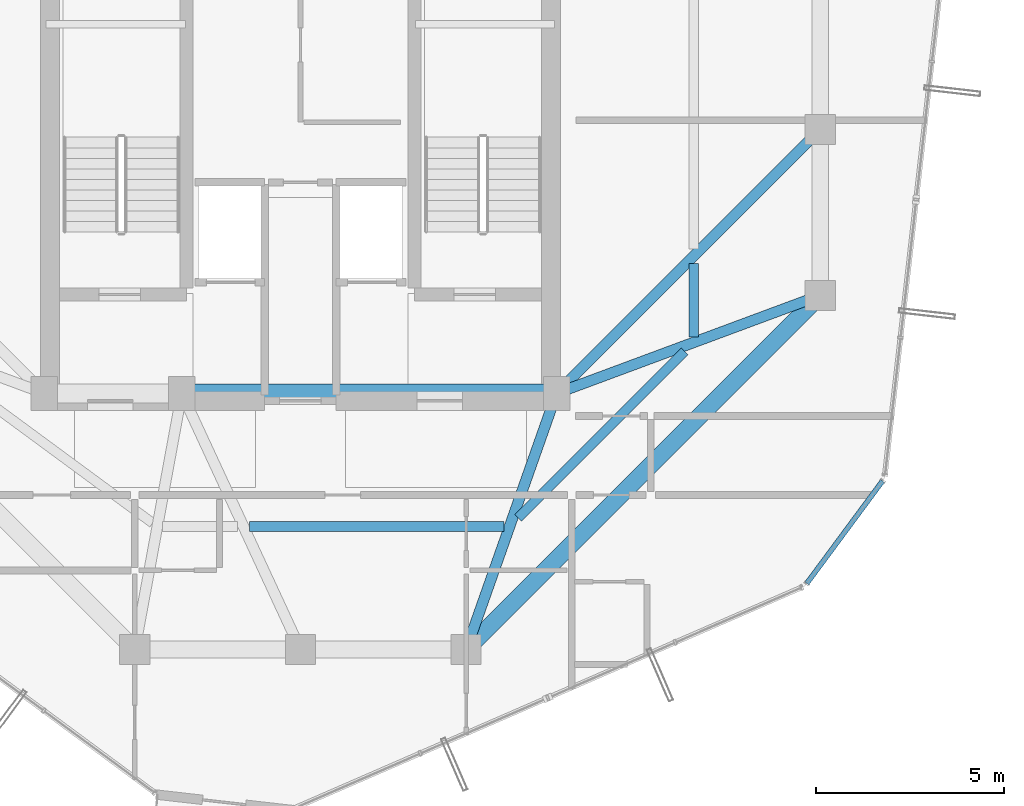
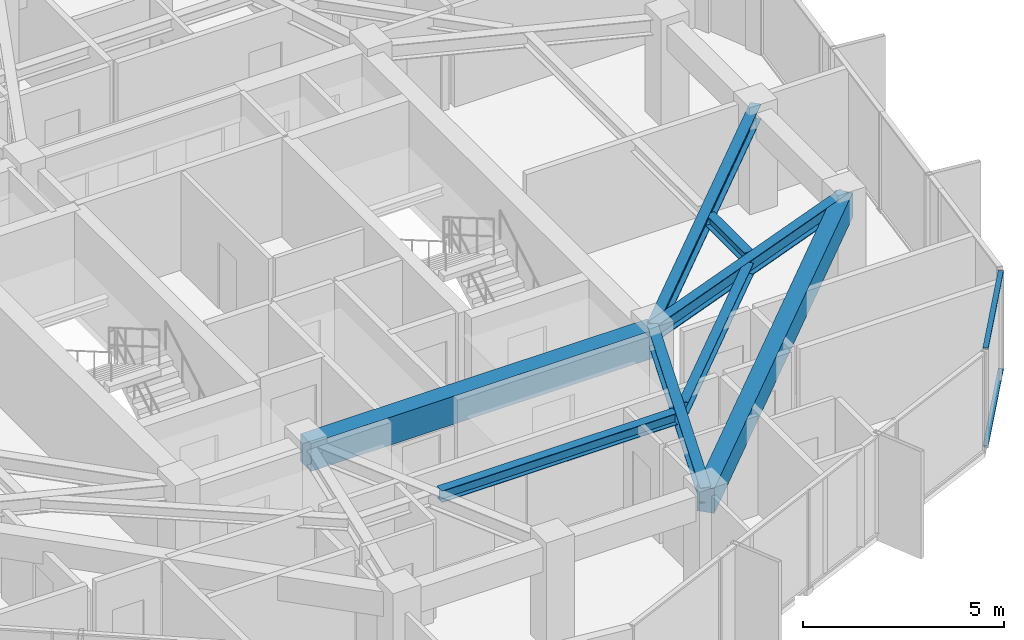
# One storey, part 11 of 30: 8 beams, 2 members, 1 element without a shape of its own.
"""IFC4 building model written with IfcOpenShell, lengths in metres."""

from ifc_helpers import new_model, si_unit, direction, frame, origin, origin_2d, place, context, subcontext, project, spatial, rectangle, hollow_rectangle, i_section, extrude, source, transform, mapped, material, layer, layer_set, material_profile, profile_set, type_object, element, aggregate, save


model = new_model("IFC4")

# Units and contexts
model_context = context("Model", 3, precision=1e-05, world=origin(), true_north=direction((0.0, 1.0)))
body_context = subcontext(model_context, "Body", "Model", "MODEL_VIEW")
ifc_project = project(units=[si_unit("LENGTHUNIT", "METRE"), si_unit("AREAUNIT", "SQUARE_METRE"), si_unit("VOLUMEUNIT", "CUBIC_METRE"), si_unit("PLANEANGLEUNIT", "RADIAN"), si_unit("MASSUNIT", "GRAM", prefix="KILO")], contexts=[model_context])

# Site, building, storey
site_placement = place(None, origin())
site = spatial("IfcSite", under=ifc_project, at=site_placement, CompositionType="ELEMENT")
building_placement = place(site_placement, origin())
building = spatial("IfcBuilding", under=site, at=building_placement, Name="Veraguas Prism Commons", CompositionType="ELEMENT")
storey_placement = place(building_placement, frame((0.0, 0.0, 230.050048828125)))
storey = spatial("IfcBuildingStorey", under=building, at=storey_placement, Name="L65", CompositionType="ELEMENT", Elevation=230.050048828125)

# Beams
ifc_material_1 = material(Name="Concrete C50/60", Category="concrete")
ifc_material_profile_1 = material_profile(ifc_material_1, rectangle(XDim=0.5, YDim=0.85009765625, at=origin_2d()), Name="RC500X850")
ifc_profile_set_1 = profile_set([ifc_material_profile_1], Name="Concrete C50/60")
beam_type_1 = type_object("IfcBeamType", Name="Core Coupling Beam RC 500x850", PredefinedType="BEAM", material=ifc_profile_set_1)
beam_1_placement = place(storey_placement, frame((20.85009765625, 17.0, 2.58984375), z_axis=(1.0, 0.0, 0.0), x_axis=(0.0, 1.0, 0.0)))
element("IfcBeam", 1, at=beam_1_placement, inside=storey, type_object=beam_type_1, Name="Core Coupling Beam L65-CRS2", PredefinedType="BEAM", context=body_context, shape_type="SweptSolid", body=[
    extrude(rectangle(XDim=0.5, YDim=0.85009765625, at=origin_2d()), origin(), (0.0, 0.0, 1.0), 9.949951171875),
])
ifc_material_profile_2 = material_profile(ifc_material_1, rectangle(XDim=0.449951171875, YDim=0.75, at=origin_2d()), Name="RC450X750")
ifc_profile_set_2 = profile_set([ifc_material_profile_2], Name="Concrete C50/60")
beam_type_2 = type_object("IfcBeamType", Name="Perimeter Spandrel Upper RC 450x750", PredefinedType="SPANDREL", material=ifc_profile_set_2)
beam_2_placement = place(storey_placement, frame((28.39990234375, 10.199951171875, 2.639892578125), z_axis=(0.707106781187, 0.707106781187, 0.0), x_axis=(-0.707106781187, 0.707106781187, 0.0)))
element("IfcBeam", 2, at=beam_2_placement, inside=storey, type_object=beam_type_2, Name="Perimeter Spandrel Beam L65-SP12", PredefinedType="SPANDREL", context=body_context, shape_type="SweptSolid", body=[
    extrude(rectangle(XDim=0.449951171875, YDim=0.75, at=origin_2d()), origin(), (0.0, 0.0, 1.0), 13.293701171875),
])
ifc_material_2 = material(Name="Steel ASTM A992 Grade 50", Category="steel")
ifc_material_profile_3 = material_profile(ifc_material_2, i_section(OverallWidth=0.25390625, OverallDepth=0.35302734375, WebThickness=0.009521484375, FlangeThickness=0.016357421875, at=origin_2d()), Name="W360X91")
ifc_profile_set_3 = profile_set([ifc_material_profile_3], Name="Steel ASTM A992 Grade 50")
beam_type_3 = type_object("IfcBeamType", Name="Upper Floor Joist W360x91", PredefinedType="JOIST", material=ifc_profile_set_3)
beam_3_placement = place(storey_placement, frame((34.43994140625, 18.500732421875, 2.83837890625), z_axis=(0.0, 1.0, 0.0), x_axis=(-1.0, 0.0, 0.0)))
element("IfcBeam", 3, at=beam_3_placement, inside=storey, type_object=beam_type_3, Name="Composite Floor Joist L65-JS01", PredefinedType="JOIST", context=body_context, shape_type="SweptSolid", body=[
    extrude(i_section(OverallWidth=0.25390625, OverallDepth=0.35302734375, WebThickness=0.009521484375, FlangeThickness=0.016357421875, at=origin_2d()), origin(), (0.0, 0.0, 1.0), 1.94189453125),
])
beam_4_placement = place(storey_placement, frame((22.6416015625, 13.464111328125, 2.83837890625), z_axis=(1.0, 0.0, 0.0), x_axis=(0.0, 1.0, 0.0)))
element("IfcBeam", 4, at=beam_4_placement, inside=storey, type_object=beam_type_3, Name="Composite Floor Joist L65-JS11", PredefinedType="JOIST", context=body_context, shape_type="SweptSolid", body=[
    extrude(i_section(OverallWidth=0.25390625, OverallDepth=0.35302734375, WebThickness=0.009521484375, FlangeThickness=0.016357421875, at=origin_2d()), origin(), (0.0, 0.0, 1.0), 6.762451171875),
])
beam_5_placement = place(storey_placement, frame((29.780517578125, 13.692626953125, 2.83837890625), z_axis=(0.707126297541, 0.707087264294, 0.0), x_axis=(-0.707087264294, 0.707126297541, 0.0)))
element("IfcBeam", 5, at=beam_5_placement, inside=storey, type_object=beam_type_3, Name="Composite Floor Joist L65-JS12", PredefinedType="JOIST", context=body_context, shape_type="SweptSolid", body=[
    extrude(i_section(OverallWidth=0.25390625, OverallDepth=0.35302734375, WebThickness=0.009521484375, FlangeThickness=0.016357421875, at=origin_2d()), origin(), (0.0, 0.0, 1.0), 6.254638671875),
])
ifc_material_profile_4 = material_profile(ifc_material_2, i_section(OverallWidth=0.282958984375, OverallDepth=0.471923828125, WebThickness=0.013671875, FlangeThickness=0.022216796875, at=origin_2d()), Name="W460X144")
ifc_profile_set_4 = profile_set([ifc_material_profile_4], Name="Steel ASTM A992 Grade 50")
beam_type_4 = type_object("IfcBeamType", Name="Zone 4 Radial Girder W460x144", PredefinedType="BEAM", material=ifc_profile_set_4)
beam_6_placement = place(storey_placement, frame((37.800048828125, 19.60009765625, 2.779052734375), z_axis=(-0.937421003341, -0.348198021958, 0.0), x_axis=(0.348198021958, -0.937421003341, 0.0)))
element("IfcBeam", 6, at=beam_6_placement, inside=storey, type_object=beam_type_4, Name="Radial Floor Girder L65-RD01", PredefinedType="BEAM", context=body_context, shape_type="SweptSolid", body=[
    extrude(i_section(OverallWidth=0.282958984375, OverallDepth=0.471923828125, WebThickness=0.013671875, FlangeThickness=0.022216796875, at=origin_2d()), origin(), (0.0, 0.0, 1.0), 7.46728515625),
])
beam_7_placement = place(storey_placement, frame((37.800048828125, 24.0, 2.779052734375), z_axis=(-0.707106781187, -0.707106781187, 0.0), x_axis=(0.707106781187, -0.707106781187, 0.0)))
element("IfcBeam", 7, at=beam_7_placement, inside=storey, type_object=beam_type_4, Name="Radial Floor Girder L65-RD02", PredefinedType="BEAM", context=body_context, shape_type="SweptSolid", body=[
    extrude(i_section(OverallWidth=0.282958984375, OverallDepth=0.471923828125, WebThickness=0.013671875, FlangeThickness=0.022216796875, at=origin_2d()), origin(), (0.0, 0.0, 1.0), 9.8994140625),
])
beam_8_placement = place(storey_placement, frame((28.39990234375, 10.199951171875, 2.779052734375), z_axis=(0.332836055941, 0.942984708182, 0.0), x_axis=(-0.942984708182, 0.332836055941, 0.0)))
element("IfcBeam", 8, at=beam_8_placement, inside=storey, type_object=beam_type_4, Name="Radial Floor Girder L65-RD12", PredefinedType="BEAM", context=body_context, shape_type="SweptSolid", body=[
    extrude(i_section(OverallWidth=0.282958984375, OverallDepth=0.471923828125, WebThickness=0.013671875, FlangeThickness=0.022216796875, at=origin_2d()), origin(), (0.0, 0.0, 1.0), 7.211181640625),
])

# Curtain wall, members
ifc_material_3 = material(Name="Anodised aluminium EN AW-6063 T6", Category="aluminium")
ifc_layer = layer(ifc_material_3, 0.14990234375, Name="Unitised Flush Curtain Wall Zone 4", Category="aluminium")
ifc_layer_set = layer_set([ifc_layer], Name="Anodised aluminium EN AW-6063 T6")
curtain_wall_type = type_object("IfcCurtainWallType", Name="Unitised Flush Curtain Wall Zone 4", PredefinedType="NOTDEFINED", material=ifc_layer_set)
curtain_wall_placement = place(storey_placement, origin())
curtain_wall = element("IfcCurtainWall", 9, at=curtain_wall_placement, inside=storey, type_object=curtain_wall_type, Name="Chamfer Curtain Wall L65-C6", PredefinedType="NOTDEFINED")
ifc_material_profile_5 = material_profile(ifc_material_3, hollow_rectangle(XDim=0.054931640625, YDim=0.135009765625, WallThickness=0.0029296875, at=origin_2d()), Name="AL55X135X3")
ifc_profile_set_5 = profile_set([ifc_material_profile_5], Name="Anodised aluminium EN AW-6063 T6")
member_type = type_object("IfcMemberType", Name="Curtain Wall Transom Standard AL 55x135x3", PredefinedType="USERDEFINED", material=ifc_profile_set_5)
shared_shape = source(origin(), body_context, "Body", "SweptSolid", [
    extrude(hollow_rectangle(XDim=0.054931640625, YDim=0.135009765625, WallThickness=0.0029296875, at=origin_2d()), origin(), (0.0, 0.0, 1.0), 3.382568359375),
])
member_1_placement = place(storey_placement, frame((37.44482421875, 11.955322265625, 0.02734375), z_axis=(0.594535144032, 0.804069625412, 0.0), x_axis=(0.0, 0.0, 1.0)))
member_1 = element("IfcMember", 10, at=member_1_placement, type_object=member_type, Name="CW-Z4 Transom 1", ObjectType="TRANSOM", PredefinedType="USERDEFINED", context=body_context, shape_type="MappedRepresentation", body=[
    mapped(shared_shape, transform((0.0, 0.0, 0.0), scale=1.0)),
])
member_2_placement = place(storey_placement, frame((37.44482421875, 11.955322265625, 2.987548828125), z_axis=(0.594535144032, 0.804069625412, 0.0), x_axis=(0.0, 0.0, 1.0)))
member_2 = element("IfcMember", 11, at=member_2_placement, type_object=member_type, Name="CW-Z4 Transom 2", ObjectType="TRANSOM", PredefinedType="USERDEFINED", context=body_context, shape_type="MappedRepresentation", body=[
    mapped(shared_shape, transform((0.0, 0.0, 0.0), scale=1.0)),
])
aggregate(curtain_wall, [member_1, member_2])

save(model, "model.ifc")
